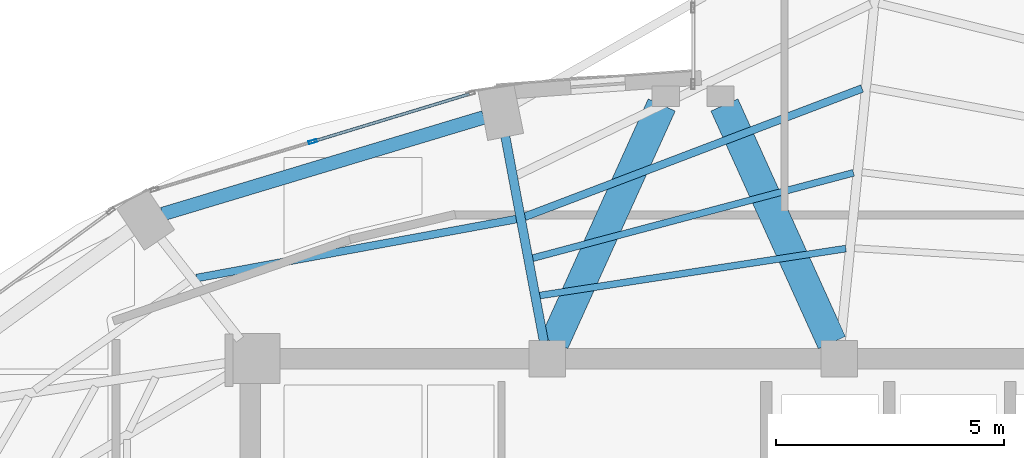
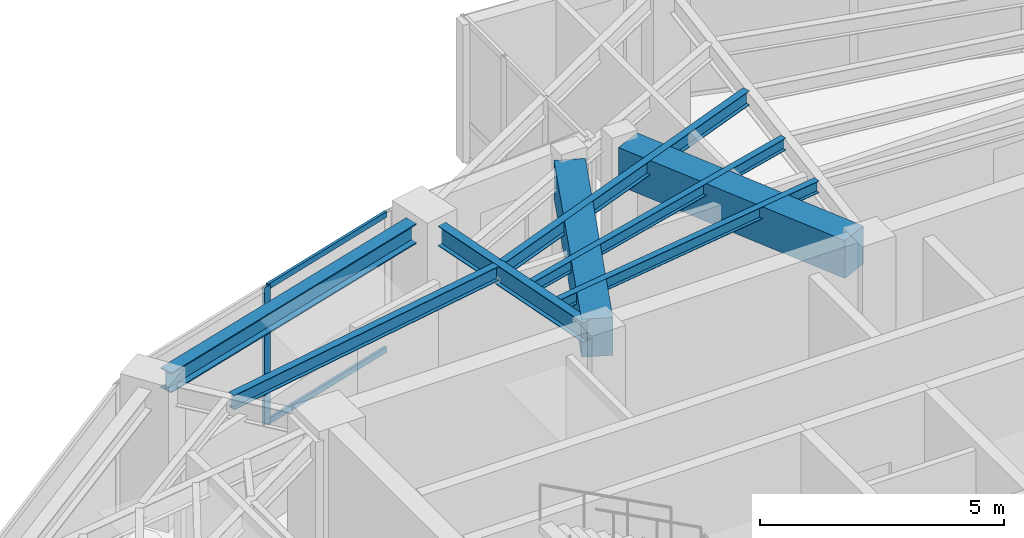
# One storey, part 11 of 22: 8 beams, 3 members, 1 element without a shape of its own.
"""IFC4 building model written with IfcOpenShell, lengths in metres."""

from ifc_helpers import new_model, si_unit, direction, frame, origin, origin_2d, place, context, subcontext, project, spatial, rectangle, hollow_rectangle, i_section, extrude, material, layer, layer_set, material_profile, profile_set, type_object, element, aggregate, save


model = new_model("IFC4")

# Units and contexts
model_context = context("Model", 3, precision=1e-05, world=origin(), true_north=direction((0.0, 1.0)))
body_context = subcontext(model_context, "Body", "Model", "MODEL_VIEW")
ifc_project = project(units=[si_unit("LENGTHUNIT", "METRE"), si_unit("AREAUNIT", "SQUARE_METRE"), si_unit("VOLUMEUNIT", "CUBIC_METRE"), si_unit("PLANEANGLEUNIT", "RADIAN"), si_unit("MASSUNIT", "GRAM", prefix="KILO")], contexts=[model_context])

# Site, building, storey
site_placement = place(None, origin())
site = spatial("IfcSite", under=ifc_project, at=site_placement, CompositionType="ELEMENT")
building_placement = place(site_placement, origin())
building = spatial("IfcBuilding", under=site, at=building_placement, Name="Lazwardi Medical Tower", CompositionType="ELEMENT")
storey_placement = place(building_placement, frame((0.0, 0.0, 251.3759765625)))
storey = spatial("IfcBuildingStorey", under=building, at=storey_placement, Name="L65", CompositionType="ELEMENT", Elevation=251.3759765625)

# Beams
ifc_material_1 = material(Name="Concrete C60/75", Category="concrete")
ifc_material_profile_1 = material_profile(ifc_material_1, rectangle(XDim=0.64990234375, YDim=0.949951171875, at=origin_2d()), Name="RC 650x950")
ifc_profile_set_1 = profile_set([ifc_material_profile_1], Name="Concrete C60/75")
beam_type_1 = type_object("IfcBeamType", Name="BM-CB-RC2", PredefinedType="LINTEL", material=ifc_profile_set_1)
for number, where, z_axis, x_axis, name in (
    (1, (32.95849609375, 35.95068359375, 2.97314453125), (0.412019279944, 0.911175127489, 0.0), (-0.911175127489, 0.412019279944, 0.0), "Core coupling lintel CB-02 PL1 L65"),
    (2, (39.04150390625, 35.95068359375, 2.97314453125), (-0.412019279944, 0.911175127489, 0.0), (-0.911175127489, -0.412019279944, 0.0), "Core coupling lintel CB-02 PL2 L65"),
):
    element("IfcBeam", number, at=place(storey_placement, frame(where, z_axis=z_axis, x_axis=x_axis)), inside=storey, type_object=beam_type_1, Name=name, PredefinedType="LINTEL", context=body_context, shape_type="SweptSolid", body=[
        extrude(rectangle(XDim=0.64990234375, YDim=0.949951171875, at=origin_2d()), origin(), (0.0, 0.0, 1.0), 5.7158203125),
    ])
ifc_material_2 = material(Name="Steel S355", Category="steel")
ifc_material_profile_2 = material_profile(ifc_material_2, i_section(OverallWidth=0.300048828125, OverallDepth=0.5, WebThickness=0.014404296875, FlangeThickness=0.028076171875, at=origin_2d()), Name="HEB 500")
ifc_profile_set_2 = profile_set([ifc_material_profile_2], Name="Steel S355")
beam_type_2 = type_object("IfcBeamType", Name="BM-RB-Z4", PredefinedType="BEAM", material=ifc_profile_set_2)
beam_1_placement = place(storey_placement, frame((31.41259765625, 40.885986328125, 3.197998046875), z_axis=(-0.957544311906, -0.288286126506, 0.0), x_axis=(0.288286126506, -0.957544311906, 0.0)))
element("IfcBeam", 3, at=beam_1_placement, inside=storey, type_object=beam_type_2, Name="Ring beam RB-05 B09 L65", PredefinedType="BEAM", context=body_context, shape_type="SweptSolid", body=[
    extrude(i_section(OverallWidth=0.300048828125, OverallDepth=0.5, WebThickness=0.014404296875, FlangeThickness=0.028076171875, at=origin_2d()), origin(), (0.0, 0.0, 1.0), 7.3515625),
])
ifc_material_profile_3 = material_profile(ifc_material_2, i_section(OverallWidth=0.199951171875, OverallDepth=0.5, WebThickness=0.01025390625, FlangeThickness=0.01611328125, at=origin_2d()), Name="IPE 500")
ifc_profile_set_3 = profile_set([ifc_material_profile_3], Name="Steel S355")
beam_type_3 = type_object("IfcBeamType", Name="BM-RG-W3", PredefinedType="BEAM", material=ifc_profile_set_3)
beam_2_placement = place(storey_placement, frame((31.884765625, 40.472412109375, 3.197998046875), z_axis=(0.184633463507, -0.982807450192, 0.0), x_axis=(0.982807450192, 0.184633463507, 0.0)))
element("IfcBeam", 4, at=beam_2_placement, inside=storey, type_object=beam_type_3, Name="Radial girder RG-04 R09 L65", PredefinedType="BEAM", context=body_context, shape_type="SweptSolid", body=[
    extrude(i_section(OverallWidth=0.199951171875, OverallDepth=0.5, WebThickness=0.01025390625, FlangeThickness=0.01611328125, at=origin_2d()), origin(), (0.0, 0.0, 1.0), 4.572509765625),
])
ifc_material_profile_4 = material_profile(ifc_material_2, i_section(OverallWidth=0.169921875, OverallDepth=0.360107421875, WebThickness=0.008056640625, FlangeThickness=0.0126953125, at=origin_2d()), Name="IPE 360")
ifc_profile_set_4 = profile_set([ifc_material_profile_4], Name="Steel S355")
beam_type_4 = type_object("IfcBeamType", Name="BM-SJ-02", PredefinedType="JOIST", material=ifc_profile_set_4)
beam_3_placement = place(storey_placement, frame((39.703125, 41.51904296875, 3.26806640625), z_axis=(-0.934714470268, -0.355399576633, 0.0), x_axis=(0.355399576633, -0.934714470268, 0.0)))
element("IfcBeam", 5, at=beam_3_placement, inside=storey, type_object=beam_type_4, Name="Secondary joist SJ-02 R2 B08 L65", PredefinedType="JOIST", context=body_context, shape_type="SweptSolid", body=[
    extrude(i_section(OverallWidth=0.169921875, OverallDepth=0.360107421875, WebThickness=0.008056640625, FlangeThickness=0.0126953125, at=origin_2d()), origin(), (0.0, 0.0, 1.0), 7.908203125),
])
beam_4_placement = place(storey_placement, frame((32.12890625, 38.65771484375, 3.26806640625), z_axis=(-0.983427965623, -0.181299300688, 0.0), x_axis=(0.181299300688, -0.983427965623, 0.0)))
element("IfcBeam", 6, at=beam_4_placement, inside=storey, type_object=beam_type_4, Name="Secondary joist SJ-02 R2 B09 L65", PredefinedType="JOIST", context=body_context, shape_type="SweptSolid", body=[
    extrude(i_section(OverallWidth=0.169921875, OverallDepth=0.360107421875, WebThickness=0.008056640625, FlangeThickness=0.0126953125, at=origin_2d()), origin(), (0.0, 0.0, 1.0), 7.127685546875),
])
ifc_material_profile_5 = material_profile(ifc_material_2, i_section(OverallWidth=0.14990234375, OverallDepth=0.300048828125, WebThickness=0.007080078125, FlangeThickness=0.0107421875, at=origin_2d()), Name="IPE 300")
ifc_profile_set_5 = profile_set([ifc_material_profile_5], Name="Steel S355")
beam_type_5 = type_object("IfcBeamType", Name="BM-SJ-03", PredefinedType="JOIST", material=ifc_profile_set_5)
beam_5_placement = place(storey_placement, frame((39.515380859375, 39.671875, 3.298095703125), z_axis=(-0.966369007826, -0.257159368316, 0.0), x_axis=(0.257159368316, -0.966369007826, 0.0)))
element("IfcBeam", 7, at=beam_5_placement, inside=storey, type_object=beam_type_5, Name="Secondary joist SJ-03 R3 B08 L65", PredefinedType="JOIST", context=body_context, shape_type="SweptSolid", body=[
    extrude(i_section(OverallWidth=0.14990234375, OverallDepth=0.300048828125, WebThickness=0.007080078125, FlangeThickness=0.0107421875, at=origin_2d()), origin(), (0.0, 0.0, 1.0), 7.27685546875),
])
beam_6_placement = place(storey_placement, frame((39.347412109375, 38.010986328125, 3.298095703125), z_axis=(-0.988433562862, -0.151654514629, 0.0), x_axis=(0.151654514629, -0.988433562862, 0.0)))
element("IfcBeam", 8, at=beam_6_placement, inside=storey, type_object=beam_type_5, Name="Secondary joist SJ-03 R4 B08 L65", PredefinedType="JOIST", context=body_context, shape_type="SweptSolid", body=[
    extrude(i_section(OverallWidth=0.14990234375, OverallDepth=0.300048828125, WebThickness=0.007080078125, FlangeThickness=0.0107421875, at=origin_2d()), origin(), (0.0, 0.0, 1.0), 6.788818359375),
])

# Curtain wall, members
ifc_material_3 = material(Name="Anodised bronze aluminium and solar control glazing", Category="aluminium")
ifc_layer = layer(ifc_material_3, 0.18994140625)
ifc_layer_set = layer_set([ifc_layer], Name="Anodised bronze aluminium and solar control glazing")
curtain_wall_type = type_object("IfcCurtainWallType", Name="CW-SYS-04", PredefinedType="NOTDEFINED", material=ifc_layer_set)
curtain_wall_placement = place(storey_placement, origin())
curtain_wall = element("IfcCurtainWall", 9, at=curtain_wall_placement, inside=storey, type_object=curtain_wall_type, Name="L65 Unitised bronze curtain wall CW-04", PredefinedType="NOTDEFINED")
ifc_material_4 = material(Name="Anodised bronze aluminium", Category="aluminium")
ifc_material_profile_6 = material_profile(ifc_material_4, hollow_rectangle(XDim=0.06494140625, YDim=0.179931640625, WallThickness=0.00390625, at=origin_2d()), Name="ALU-MULLION 180x65x4")
ifc_profile_set_6 = profile_set([ifc_material_profile_6], Name="Anodised bronze aluminium")
member_type_1 = type_object("IfcMemberType", Name="CW-MUL-03", PredefinedType="MULLION", material=ifc_profile_set_6)
member_1_placement = place(storey_placement, frame((27.66357421875, 40.355224609375, 0.0), z_axis=(0.0, 0.0, 1.0), x_axis=(0.290581889515, -0.956850126972, 0.0)))
member_1 = element("IfcMember", 10, at=member_1_placement, type_object=member_type_1, Name="CW-04 mullion 2", PredefinedType="MULLION", context=body_context, shape_type="SweptSolid", body=[
    extrude(hollow_rectangle(XDim=0.06494140625, YDim=0.179931640625, WallThickness=0.00390625, at=origin_2d()), origin(), (0.0, 0.0, 1.0), 3.447998046875),
])
ifc_material_profile_7 = material_profile(ifc_material_4, hollow_rectangle(XDim=0.06494140625, YDim=0.139892578125, WallThickness=0.00341796875, at=origin_2d()), Name="ALU-TRANSOM 140x65x3.5")
ifc_profile_set_7 = profile_set([ifc_material_profile_7], Name="Anodised bronze aluminium")
member_type_2 = type_object("IfcMemberType", Name="CW-TRN-03", PredefinedType="USERDEFINED", material=ifc_profile_set_7)
member_2_placement = place(storey_placement, frame((31.095703125, 41.397705078125, 0.032470703125), z_axis=(-0.956843409009, -0.290604010015, 0.0), x_axis=(0.290604010015, -0.956843409009, 0.0)))
member_2 = element("IfcMember", 11, at=member_2_placement, type_object=member_type_2, Name="CW-04 transom 1.1", ObjectType="TRANSOM", PredefinedType="USERDEFINED", context=body_context, shape_type="SweptSolid", body=[
    extrude(hollow_rectangle(XDim=0.06494140625, YDim=0.139892578125, WallThickness=0.00341796875, at=origin_2d()), origin(), (0.0, 0.0, 1.0), 3.554443359375),
])
member_3_placement = place(storey_placement, frame((31.095703125, 41.397705078125, 3.41552734375), z_axis=(-0.956843409009, -0.290604010015, 0.0), x_axis=(0.290604010015, -0.956843409009, 0.0)))
member_3 = element("IfcMember", 12, at=member_3_placement, type_object=member_type_2, Name="CW-04 transom 1.2", ObjectType="TRANSOM", PredefinedType="USERDEFINED", context=body_context, shape_type="SweptSolid", body=[
    extrude(hollow_rectangle(XDim=0.06494140625, YDim=0.139892578125, WallThickness=0.00341796875, at=origin_2d()), origin(), (0.0, 0.0, 1.0), 3.554443359375),
])
aggregate(curtain_wall, [member_1, member_2, member_3])

save(model, "model.ifc")
